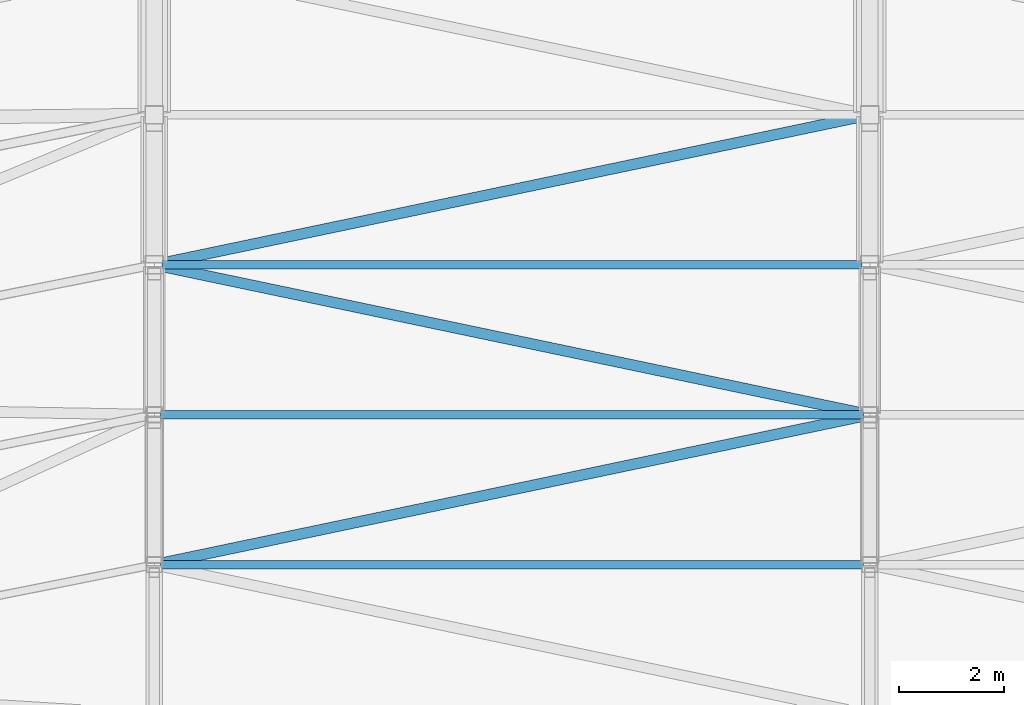
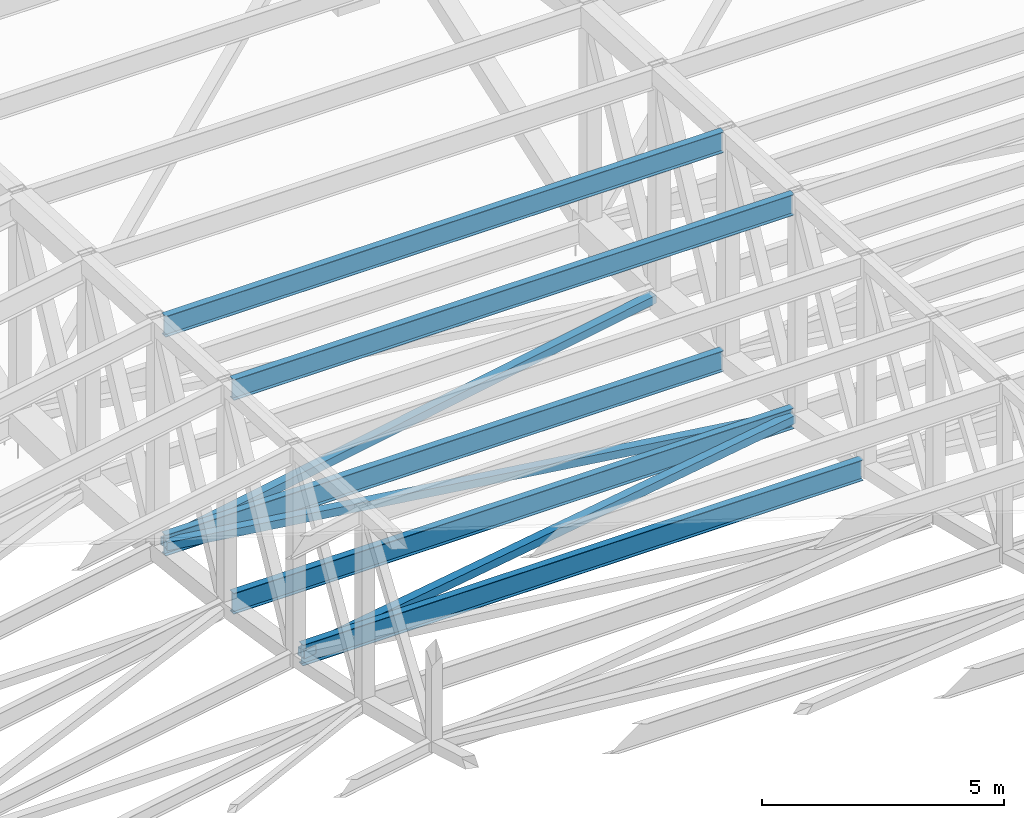
# One storey, part 77 of 278: 8 members.
"""IFC4 building model written with IfcOpenShell, lengths in metres."""

from ifc_helpers import new_model, si_unit, direction, frame, origin, origin_2d, place, context, subcontext, project, spatial, hollow_rectangle, i_section, extrude, material, material_profile, profile_set, type_object, element, save


model = new_model("IFC4")

# Units and contexts
model_context = context("Model", 3, precision=1e-05, world=origin(), true_north=direction((0.0, 1.0)))
body_context = subcontext(model_context, "Body", "Model", "MODEL_VIEW")
ifc_project = project(units=[si_unit("LENGTHUNIT", "METRE"), si_unit("AREAUNIT", "SQUARE_METRE"), si_unit("VOLUMEUNIT", "CUBIC_METRE"), si_unit("PLANEANGLEUNIT", "RADIAN"), si_unit("MASSUNIT", "GRAM", prefix="KILO")], contexts=[model_context])

# Site, building, storey
site_placement = place(None, origin())
site = spatial("IfcSite", under=ifc_project, at=site_placement, CompositionType="ELEMENT")
building_placement = place(site_placement, origin())
building = spatial("IfcBuilding", under=site, at=building_placement, Name="Ogive Plaza Stadium", CompositionType="ELEMENT")
storey_placement = place(building_placement, frame((0.0, 0.0, 29.0)))
storey = spatial("IfcBuildingStorey", under=building, at=storey_placement, Name="Roof", CompositionType="ELEMENT", Elevation=29.0)

# Members
ifc_material_1 = material(Name="Steel ASTM A500 Grade C", Category="steel")
ifc_material_profile_1 = material_profile(ifc_material_1, hollow_rectangle(XDim=0.203125, YDim=0.203125, WallThickness=0.0087890625, at=origin_2d()), Name="HSS8X8X3/8")
ifc_profile_set_1 = profile_set([ifc_material_profile_1], Name="Steel ASTM A500 Grade C")
member_type_1 = type_object("IfcMemberType", Name="Roof plan brace HSS8X8X3/8", PredefinedType="BRACE", material=ifc_profile_set_1)
member_1_placement = place(storey_placement, frame((-33.856201171875, 81.130126953125, 1.201416015625), z_axis=(0.978282447902, 0.205014644711, -0.030536004664), x_axis=(-0.205110294312, 0.978738865667, 0.0)))
element("IfcMember", 1, at=member_1_placement, inside=storey, type_object=member_type_1, Name="ROOF BRACE B32 7", PredefinedType="BRACE", context=body_context, shape_type="SweptSolid", body=[
    extrude(hollow_rectangle(XDim=0.203125, YDim=0.203125, WallThickness=0.0087890625, at=origin_2d()), origin(), (0.0, 0.0, 1.0), 13.607666015625),
])
member_2_placement = place(storey_placement, frame((-20.5439453125, 83.980224609375, 0.778564453125), z_axis=(-0.978554365022, 0.205067940633, -0.019454933079), x_axis=(-0.205106760189, -0.978739606292, 0.0)))
element("IfcMember", 2, at=member_2_placement, inside=storey, type_object=member_type_1, Name="ROOF BRACE B32 8", PredefinedType="BRACE", context=body_context, shape_type="SweptSolid", body=[
    extrude(hollow_rectangle(XDim=0.203125, YDim=0.203125, WallThickness=0.0087890625, at=origin_2d()), origin(), (0.0, 0.0, 1.0), 13.578125),
])
member_3_placement = place(storey_placement, frame((-33.830810546875, 86.83544921875, 0.50927734375), z_axis=(0.9786892756, 0.205092509512, -0.010215887981), x_axis=(-0.205103212524, 0.978740349742, 0.0)))
element("IfcMember", 3, at=member_3_placement, inside=storey, type_object=member_type_1, Name="ROOF BRACE B32 9", PredefinedType="BRACE", context=body_context, shape_type="SweptSolid", body=[
    extrude(hollow_rectangle(XDim=0.203125, YDim=0.203125, WallThickness=0.0087890625, at=origin_2d()), origin(), (0.0, 0.0, 1.0), 13.55029296875),
])
ifc_material_2 = material(Name="Steel ASTM A992 Grade 50", Category="steel")
ifc_material_profile_2 = material_profile(ifc_material_2, i_section(OverallWidth=0.1650390625, OverallDepth=0.524658203125, WebThickness=0.0087890625, FlangeThickness=0.011474609375, at=origin_2d()), Name="W21X44")
ifc_profile_set_2 = profile_set([ifc_material_profile_2], Name="Steel ASTM A992 Grade 50")
member_type_2 = type_object("IfcMemberType", Name="Roof plan strut W21X44", PredefinedType="STRUT", material=ifc_profile_set_2)
for number, where, z_axis, x_axis, name in (
    (4, (-33.877685546875, 81.10009765625, 1.205810546875), (1.0, 0.0, 0.0), (0.0, 1.0, 0.0), "ROOF STRUT B32 6"),
    (5, (-33.877685546875, 83.949951171875, 0.781494140625), (1.0, 0.0, 0.0), (0.0, 1.0, 0.0), "ROOF STRUT B32 7"),
):
    element("IfcMember", number, at=place(storey_placement, frame(where, z_axis=z_axis, x_axis=x_axis)), inside=storey, type_object=member_type_2, Name=name, PredefinedType="STRUT", context=body_context, shape_type="SweptSolid", body=[
        extrude(i_section(OverallWidth=0.1650390625, OverallDepth=0.524658203125, WebThickness=0.0087890625, FlangeThickness=0.011474609375, at=origin_2d()), origin(), (0.0, 0.0, 1.0), 13.355224609375),
    ])
member_4_placement = place(storey_placement, frame((-33.852294921875, 86.800048828125, 0.510986328125), z_axis=(1.0, 0.0, 0.0), x_axis=(0.0, 1.0, 0.0)))
element("IfcMember", 6, at=member_4_placement, inside=storey, type_object=member_type_2, Name="ROOF STRUT B32 8", PredefinedType="STRUT", context=body_context, shape_type="SweptSolid", body=[
    extrude(i_section(OverallWidth=0.1650390625, OverallDepth=0.524658203125, WebThickness=0.0087890625, FlangeThickness=0.011474609375, at=origin_2d()), origin(), (0.0, 0.0, 1.0), 13.304443359375),
])
ifc_material_3 = material(Name="Steel ASTM A992 Grade 50", Category="steel")
ifc_material_profile_3 = material_profile(ifc_material_3, i_section(OverallWidth=0.1650390625, OverallDepth=0.524658203125, WebThickness=0.0087890625, FlangeThickness=0.011474609375, at=origin_2d()), Name="W21X44")
ifc_profile_set_3 = profile_set([ifc_material_profile_3], Name="Steel ASTM A992 Grade 50")
member_type_3 = type_object("IfcMemberType", Name="Roof purlin W21X44", PredefinedType="PURLIN", material=ifc_profile_set_3)
member_5_placement = place(storey_placement, frame((-33.877685546875, 83.949951171875, 6.1650390625), z_axis=(1.0, 0.0, 0.0), x_axis=(0.0, 1.0, 0.0)))
element("IfcMember", 7, at=member_5_placement, inside=storey, type_object=member_type_3, Name="ROOF PURLIN B32 7", PredefinedType="PURLIN", context=body_context, shape_type="SweptSolid", body=[
    extrude(i_section(OverallWidth=0.1650390625, OverallDepth=0.524658203125, WebThickness=0.0087890625, FlangeThickness=0.011474609375, at=origin_2d()), origin(), (0.0, 0.0, 1.0), 13.355224609375),
])
member_6_placement = place(storey_placement, frame((-33.852294921875, 86.800048828125, 6.022705078125), z_axis=(1.0, 0.0, 0.0), x_axis=(0.0, 1.0, 0.0)))
element("IfcMember", 8, at=member_6_placement, inside=storey, type_object=member_type_3, Name="ROOF PURLIN B32 8", PredefinedType="PURLIN", context=body_context, shape_type="SweptSolid", body=[
    extrude(i_section(OverallWidth=0.1650390625, OverallDepth=0.524658203125, WebThickness=0.0087890625, FlangeThickness=0.011474609375, at=origin_2d()), origin(), (0.0, 0.0, 1.0), 13.304443359375),
])

save(model, "model.ifc")
